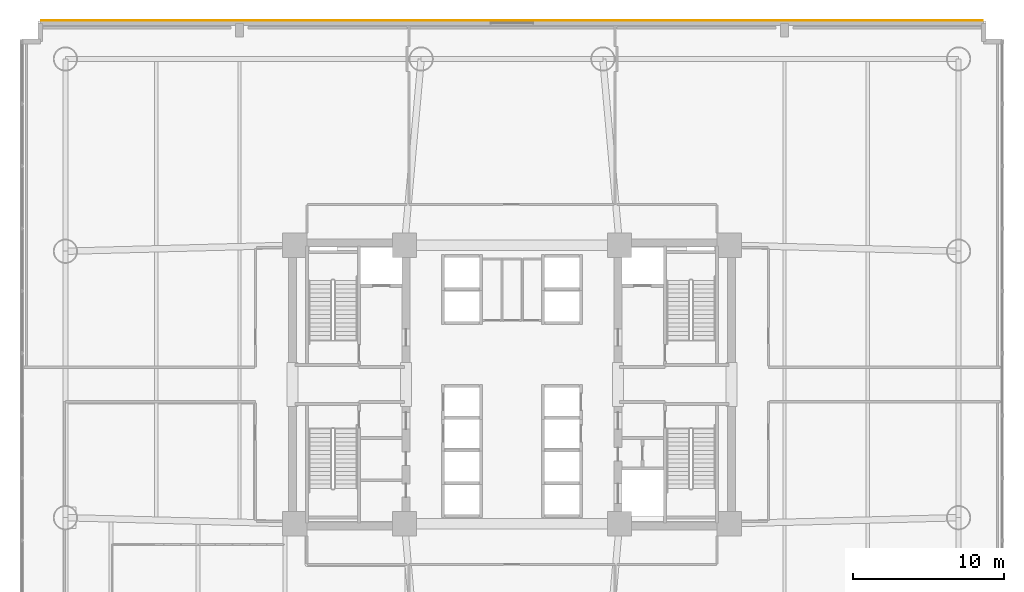
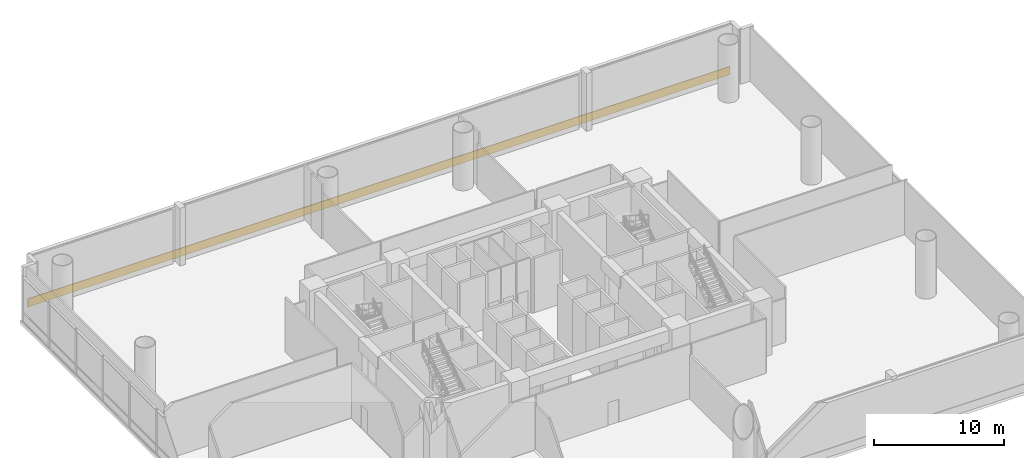
# One storey, part 15 of 15: 1 covering.
"""IFC4 building model written with IfcOpenShell, lengths in metres."""

from ifc_helpers import new_model, si_unit, direction, frame, origin, origin_2d, place, context, subcontext, project, spatial, rectangle, extrude, source, transform, mapped, material, layer, layer_set, type_object, element, save


model = new_model("IFC4")

# Units and contexts
model_context = context("Model", 3, precision=1e-05, world=origin(), true_north=direction((0.0, 1.0)))
body_context = subcontext(model_context, "Body", "Model", "MODEL_VIEW")
ifc_project = project(units=[si_unit("LENGTHUNIT", "METRE"), si_unit("AREAUNIT", "SQUARE_METRE"), si_unit("VOLUMEUNIT", "CUBIC_METRE"), si_unit("PLANEANGLEUNIT", "RADIAN"), si_unit("MASSUNIT", "GRAM", prefix="KILO")], contexts=[model_context])

# Site, building, storey
site_placement = place(None, origin())
site = spatial("IfcSite", under=ifc_project, at=site_placement, CompositionType="ELEMENT")
building_placement = place(site_placement, origin())
building = spatial("IfcBuilding", under=site, at=building_placement, Name="Zahravan Cultural Tower", CompositionType="ELEMENT")
storey_placement = place(building_placement, frame((0.0, 0.0, 12.60009765625)))
storey = spatial("IfcBuildingStorey", under=building, at=storey_placement, Name="L02", CompositionType="ELEMENT", Elevation=12.60009765625)

# Covering
ifc_material = material(Name="Terracotta ceramic cladding", Category="masonry")
ifc_layer = layer(ifc_material, 0.06005859375)
ifc_layer_set = layer_set([ifc_layer], Name="Terracotta ceramic cladding")
covering_type = type_object("IfcCoveringType", Name="COV-CLAD-TC60", PredefinedType="CLADDING", material=ifc_layer_set)
shared_shape = source(origin(), body_context, "Body", "SweptSolid", [
    extrude(rectangle(XDim=62.219970703125, YDim=0.06005859375, at=origin_2d()), origin(), (0.0, 0.0, 1.0), 0.760009765625),
])
covering_placement = place(storey_placement, frame((36.0, 51.044921875, 0.02001953125), z_axis=(0.0, 0.0, 1.0), x_axis=(1.0, 0.0, 0.0)))
element("IfcCovering", 1, at=covering_placement, inside=storey, type_object=covering_type, Name="L02 Terracotta Spandrel Cladding 08", PredefinedType="CLADDING", context=body_context, shape_type="MappedRepresentation", body=[
    mapped(shared_shape, transform((0.0, 0.0, 0.0), x_axis=(1.0, 0.0, 0.0), y_axis=(0.0, 1.0, 0.0), z_axis=(0.0, 0.0, 1.0), scale=1.0)),
])

save(model, "model.ifc")
